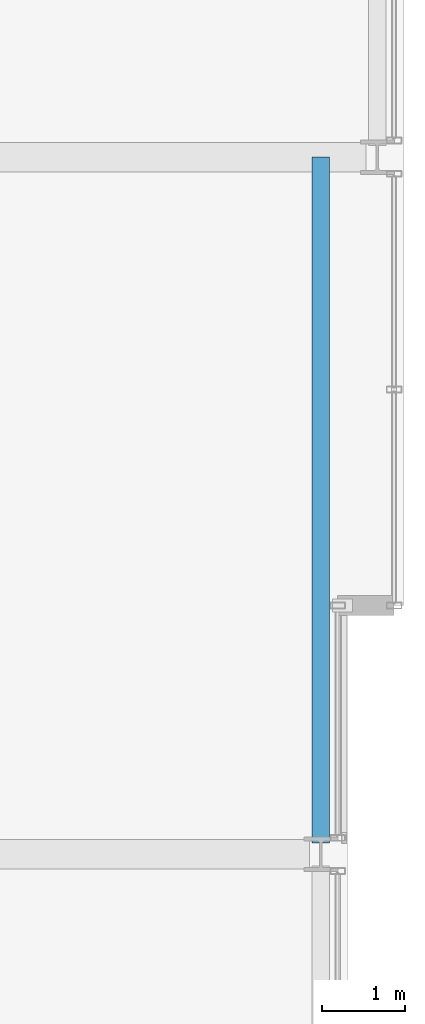
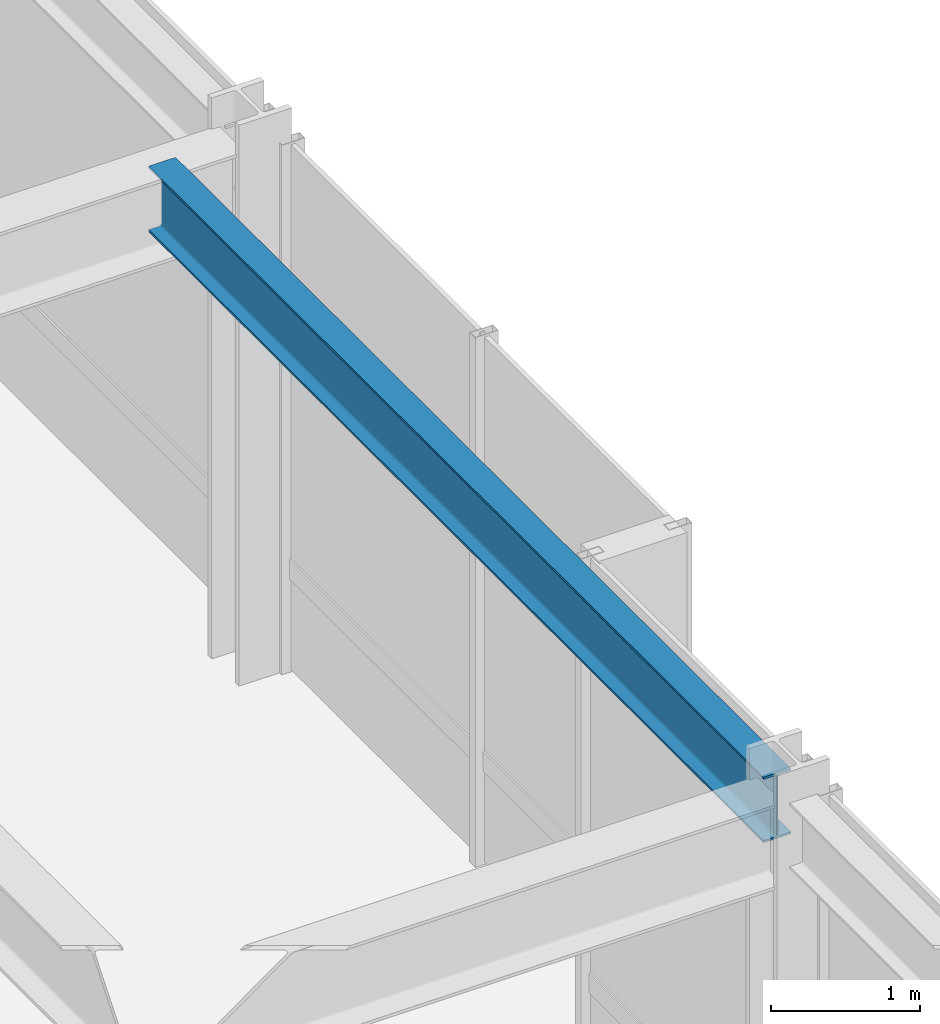
# One storey, part 16 of 32: 1 beam.
"""IFC4 building model written with IfcOpenShell, lengths in metres."""

from ifc_helpers import new_model, si_unit, direction, frame, origin, origin_2d, place, context, subcontext, project, spatial, i_section, extrude, material, material_profile, profile_set, type_object, element, save


model = new_model("IFC4")

# Units and contexts
model_context = context("Model", 3, precision=1e-05, world=origin(), true_north=direction((0.0, 1.0)))
body_context = subcontext(model_context, "Body", "Model", "MODEL_VIEW")
ifc_project = project(units=[si_unit("LENGTHUNIT", "METRE"), si_unit("AREAUNIT", "SQUARE_METRE"), si_unit("VOLUMEUNIT", "CUBIC_METRE"), si_unit("PLANEANGLEUNIT", "RADIAN"), si_unit("MASSUNIT", "GRAM", prefix="KILO")], contexts=[model_context])

# Site, building, storey
site_placement = place(None, origin())
site = spatial("IfcSite", under=ifc_project, at=site_placement, CompositionType="ELEMENT")
building_placement = place(site_placement, origin())
building = spatial("IfcBuilding", under=site, at=building_placement, Name="Drelvath Grand Hotel", CompositionType="ELEMENT")
storey_placement = place(building_placement, frame((0.0, 0.0, 145.800048828125)))
storey = spatial("IfcBuildingStorey", under=building, at=storey_placement, Name="L37", CompositionType="ELEMENT", Elevation=145.800048828125)

# Beam
ifc_material = material(Name="Steel ASTM A992 Gr 50", Category="steel")
ifc_material_profile = material_profile(ifc_material, i_section(OverallWidth=0.210205078125, OverallDepth=0.53662109375, WebThickness=0.010986328125, FlangeThickness=0.017333984375, FilletRadius=0.01806640625, at=origin_2d()), Name="W21X68")
ifc_profile_set = profile_set([ifc_material_profile], Name="Steel ASTM A992 Gr 50")
beam_type = type_object("IfcBeamType", Name="Perimeter Spandrel Beam W21X68", PredefinedType="SPANDREL", material=ifc_profile_set)
beam_placement = place(storey_placement, frame((21.199951171875, 27.139892578125, 4.071533203125), z_axis=(0.0, 1.0, 0.0), x_axis=(-1.0, 0.0, 0.0)))
element("IfcBeam", 1, at=beam_placement, inside=storey, type_object=beam_type, Name="L37 Spandrel East Mid N", PredefinedType="SPANDREL", context=body_context, shape_type="SweptSolid", body=[
    extrude(i_section(OverallWidth=0.210205078125, OverallDepth=0.53662109375, WebThickness=0.010986328125, FlangeThickness=0.017333984375, FilletRadius=0.01806640625, at=origin_2d()), origin(), (0.0, 0.0, 1.0), 8.260009765625),
])

save(model, "model.ifc")
